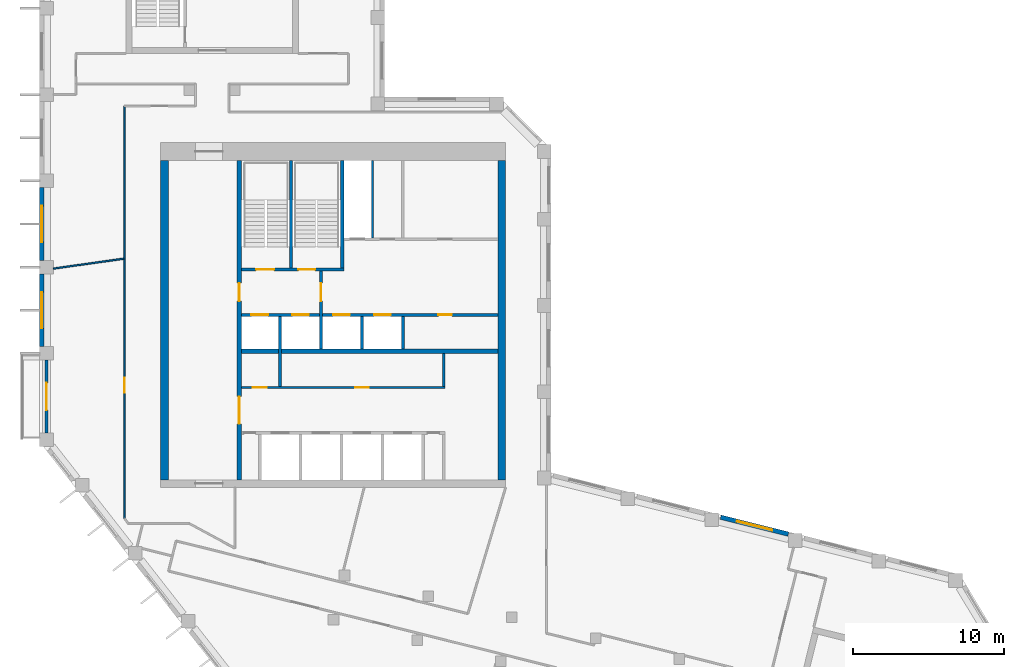
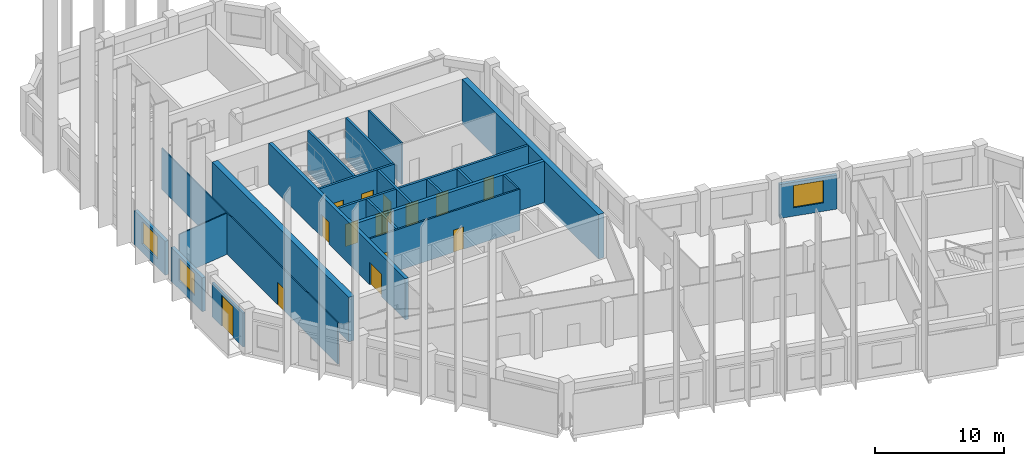
# One storey, part 5 of 8: 21 walls, 14 doors, 3 windows, 17 openings.
"""IFC4 building model written with IfcOpenShell, lengths in metres."""

from ifc_helpers import new_model, si_unit, direction, frame, frame_2d, origin, place, context, subcontext, project, spatial, rectangle, extrude, material, layer, layer_set, type_object, element, fill, save


model = new_model("IFC4")

# Units and contexts
model_context = context("Model", 3, precision=1e-05, world=origin(), true_north=direction((0.0, 1.0)))
body_context = subcontext(model_context, "Body", "Model", "MODEL_VIEW")
ifc_project = project(units=[si_unit("LENGTHUNIT", "METRE"), si_unit("AREAUNIT", "SQUARE_METRE"), si_unit("VOLUMEUNIT", "CUBIC_METRE"), si_unit("PLANEANGLEUNIT", "RADIAN"), si_unit("MASSUNIT", "GRAM", prefix="KILO")], contexts=[model_context])

# Site, building, storey
site_placement = place(None, origin())
site = spatial("IfcSite", under=ifc_project, at=site_placement, CompositionType="ELEMENT")
building_placement = place(site_placement, origin())
building = spatial("IfcBuilding", under=site, at=building_placement, Name="Meshkara Civic Tower", CompositionType="ELEMENT")
storey_placement = place(building_placement, frame((0.0, 0.0, 354.0)))
storey = spatial("IfcBuildingStorey", under=building, at=storey_placement, Name="L81", CompositionType="ELEMENT", Elevation=354.0)

# Wall, openings, doors
ifc_material_1 = material(Name="Blockwork", Category="masonry")
ifc_layer_1 = layer(ifc_material_1, 0.14990234375)
ifc_layer_set_1 = layer_set([ifc_layer_1], Name="Core partition 150")
wall_type_1 = type_object("IfcWallType", Name="Core partition 150", PredefinedType="PARTITIONING", material=ifc_layer_set_1)
wall_1_placement = place(storey_placement, frame((13.35009765625, 20.699951171875, 0.0), z_axis=(0.0, 0.0, 1.0), x_axis=(1.0, 0.0, 0.0)))
wall_1 = element("IfcWall", 1, at=wall_1_placement, inside=storey, type_object=wall_type_1, Name="L81-C006", PredefinedType="PARTITIONING", context=body_context, shape_type="SweptSolid", body=[
    extrude(rectangle(XDim=13.4248046875, YDim=0.14990234375, at=frame_2d((6.71240234375, 0.0))), origin(), (0.0, 0.0, 1.0), 3.89990234375),
])
opening_1_placement = place(wall_1_placement, frame((0.75, 0.0, 0.0)))
opening_1 = element("IfcOpeningElement", 2, at=opening_1_placement, cuts=wall_1, Name="Opening L81-K011", PredefinedType="OPENING", context=body_context, shape_type="SweptSolid", body=[
    extrude(rectangle(XDim=0.89990234375, YDim=2.10009765625, at=frame_2d((0.449951171875, 1.050048828125))), frame((0.0, 0.0849609375, 0.0), z_axis=(0.0, -1.0, 0.0), x_axis=(1.0, 0.0, 0.0)), (0.0, 0.0, 1.0), 0.169921875),
])
opening_2_placement = place(wall_1_placement, frame((7.5, 0.0, 0.0)))
opening_2 = element("IfcOpeningElement", 3, at=opening_2_placement, cuts=wall_1, Name="Opening L81-K012", PredefinedType="OPENING", context=body_context, shape_type="SweptSolid", body=[
    extrude(rectangle(XDim=0.89990234375, YDim=2.10009765625, at=frame_2d((0.449951171875, 1.050048828125))), frame((0.0, 0.0849609375, 0.0), z_axis=(0.0, -1.0, 0.0), x_axis=(1.0, 0.0, 0.0)), (0.0, 0.0, 1.0), 0.169921875),
])
ifc_material_2 = material(Name="Timber door leaf in steel frame", Category="steel")
door_type_1 = type_object("IfcDoorType", Name="Core room door 900", OperationType="SINGLE_SWING_LEFT", PredefinedType="DOOR", material=ifc_material_2)
door_1_placement = place(opening_1_placement, origin())
door_1 = element("IfcDoor", 4, at=door_1_placement, inside=storey, type_object=door_type_1, Name="L81-K011", OperationType="SINGLE_SWING_RIGHT", OverallHeight=2.10009765625, OverallWidth=0.89990234375, PredefinedType="DOOR", context=body_context, shape_type="SweptSolid", body=[
    extrude(rectangle(XDim=0.89990234375, YDim=2.10009765625, at=frame_2d((0.449951171875, 1.050048828125))), frame((0.0, 0.02490234375, 0.0), z_axis=(0.0, -1.0, 0.0), x_axis=(1.0, 0.0, 0.0)), (0.0, 0.0, 1.0), 0.050048828125),
])
fill(opening_1, door_1)
door_2_placement = place(opening_2_placement, origin())
door_2 = element("IfcDoor", 5, at=door_2_placement, inside=storey, type_object=door_type_1, Name="L81-K012", OperationType="SINGLE_SWING_LEFT", OverallHeight=2.10009765625, OverallWidth=0.89990234375, PredefinedType="DOOR", context=body_context, shape_type="SweptSolid", body=[
    extrude(rectangle(XDim=0.89990234375, YDim=2.10009765625, at=frame_2d((0.449951171875, 1.050048828125))), frame((0.0, 0.02490234375, 0.0), z_axis=(0.0, -1.0, 0.0), x_axis=(1.0, 0.0, 0.0)), (0.0, 0.0, 1.0), 0.050048828125),
])
fill(opening_2, door_2)

# Walls
wall_2_placement = place(storey_placement, frame((22.0, 30.574951171875, 0.0), z_axis=(0.0, 0.0, 1.0), x_axis=(0.0, 1.0, 0.0)))
element("IfcWall", 6, at=wall_2_placement, inside=storey, type_object=wall_type_1, Name="L81-C020", PredefinedType="PARTITIONING", context=body_context, shape_type="SweptSolid", body=[
    extrude(rectangle(XDim=5.125, YDim=0.14990234375, at=frame_2d((2.5625, 0.0))), origin(), (0.0, 0.0, 1.0), 3.89990234375),
])
wall_3_placement = place(storey_placement, frame((26.699951171875, 20.77490234375, 0.0), z_axis=(0.0, 0.0, 1.0), x_axis=(0.0, 1.0, 0.0)))
element("IfcWall", 7, at=wall_3_placement, inside=storey, type_object=wall_type_1, Name="L81-C026", PredefinedType="PARTITIONING", context=body_context, shape_type="SweptSolid", body=[
    extrude(rectangle(XDim=2.175048828125, YDim=0.14990234375, at=frame_2d((1.08740234375, 0.0))), origin(), (0.0, 0.0, 1.0), 3.89990234375),
])
ifc_material_3 = material(Name="Concrete C50", Category="concrete")
ifc_layer_2 = layer(ifc_material_3, 0.5)
ifc_layer_set_2 = layer_set([ifc_layer_2], Name="Core ring wall 500 C50")
wall_type_2 = type_object("IfcWallType", Name="Core ring wall 500 C50", PredefinedType="SHEAR", material=ifc_layer_set_2)
for number, where, z_axis, x_axis, name in (
    (8, (8.25, 14.60009765625, -0.300048828125), (0.0, 0.0, 1.0), (0.0, 1.0, 0.0), "L81-C003"),
    (9, (30.550048828125, 14.60009765625, -0.300048828125), (0.0, 0.0, 1.0), (0.0, 1.0, 0.0), "L81-C004"),
):
    element("IfcWall", number, at=place(storey_placement, frame(where, z_axis=z_axis, x_axis=x_axis)), inside=storey, type_object=wall_type_2, Name=name, PredefinedType="SHEAR", context=body_context, shape_type="SweptSolid", body=[
        extrude(rectangle(XDim=21.099853515625, YDim=0.5, at=frame_2d((10.5498046875, 0.0))), origin(), (0.0, 0.0, 1.0), 4.199951171875),
    ])
ifc_material_4 = material(Name="Concrete C50", Category="concrete")
ifc_layer_3 = layer(ifc_material_4, 0.300048828125)
ifc_layer_set_3 = layer_set([ifc_layer_3], Name="Core shear wall 300 C50")
wall_type_3 = type_object("IfcWallType", Name="Core shear wall 300 C50", PredefinedType="SHEAR", material=ifc_layer_set_3)
wall_4_placement = place(storey_placement, frame((13.35009765625, 23.10009765625, 0.0), z_axis=(0.0, 0.0, 1.0), x_axis=(1.0, 0.0, 0.0)))
element("IfcWall", 10, at=wall_4_placement, inside=storey, type_object=wall_type_3, Name="L81-C007", PredefinedType="SHEAR", context=body_context, shape_type="SweptSolid", body=[
    extrude(rectangle(XDim=16.949951171875, YDim=0.300048828125, at=frame_2d((8.47509765625, 0.0))), origin(), (0.0, 0.0, 1.0), 3.89990234375),
])

# Wall, openings, doors
wall_5_placement = place(storey_placement, frame((13.199951171875, 14.60009765625, 0.0), z_axis=(0.0, 0.0, 1.0), x_axis=(0.0, 1.0, 0.0)))
wall_5 = element("IfcWall", 11, at=wall_5_placement, inside=storey, type_object=wall_type_3, Name="L81-C011", PredefinedType="SHEAR", context=body_context, shape_type="SweptSolid", body=[
    extrude(rectangle(XDim=21.099853515625, YDim=0.300048828125, at=frame_2d((10.5498046875, 0.0))), origin(), (0.0, 0.0, 1.0), 3.89990234375),
])
opening_3_placement = place(wall_5_placement, frame((3.699951171875, 0.0, 0.0)))
opening_3 = element("IfcOpeningElement", 12, at=opening_3_placement, cuts=wall_5, Name="Opening L81-K019", PredefinedType="OPENING", context=body_context, shape_type="SweptSolid", body=[
    extrude(rectangle(XDim=1.800048828125, YDim=2.10009765625, at=frame_2d((0.89990234375, 1.050048828125))), frame((0.0, 0.159912109375, 0.0), z_axis=(0.0, -1.0, 0.0), x_axis=(1.0, 0.0, 0.0)), (0.0, 0.0, 1.0), 0.320068359375),
])
opening_4_placement = place(wall_5_placement, frame((11.800048828125, 0.0, 0.0)))
opening_4 = element("IfcOpeningElement", 13, at=opening_4_placement, cuts=wall_5, Name="Opening L81-K020", PredefinedType="OPENING", context=body_context, shape_type="SweptSolid", body=[
    extrude(rectangle(XDim=1.199951171875, YDim=2.10009765625, at=frame_2d((0.60009765625, 1.050048828125))), frame((0.0, 0.159912109375, 0.0), z_axis=(0.0, -1.0, 0.0), x_axis=(1.0, 0.0, 0.0)), (0.0, 0.0, 1.0), 0.320068359375),
])
ifc_material_5 = material(Name="Fire-rated door leaf in steel frame", Category="steel")
door_type_2 = type_object("IfcDoorType", Name="Core double door 1800 EI 60", OperationType="DOUBLE_DOOR_SINGLE_SWING", PredefinedType="DOOR", material=ifc_material_5)
door_3_placement = place(opening_3_placement, origin())
door_3 = element("IfcDoor", 14, at=door_3_placement, inside=storey, type_object=door_type_2, Name="L81-K019", OperationType="DOUBLE_DOOR_SINGLE_SWING", OverallHeight=2.10009765625, OverallWidth=1.800048828125, PredefinedType="DOOR", context=body_context, shape_type="SweptSolid", body=[
    extrude(rectangle(XDim=1.800048828125, YDim=2.10009765625, at=frame_2d((0.89990234375, 1.050048828125))), frame((0.0, 0.02490234375, 0.0), z_axis=(0.0, -1.0, 0.0), x_axis=(1.0, 0.0, 0.0)), (0.0, 0.0, 1.0), 0.050048828125),
])
fill(opening_3, door_3)
ifc_material_6 = material(Name="Fire-rated door leaf in steel frame", Category="steel")
door_type_3 = type_object("IfcDoorType", Name="Fire-fighting lobby door 1200 EI 120", OperationType="SINGLE_SWING_LEFT", PredefinedType="DOOR", material=ifc_material_6)
door_4_placement = place(opening_4_placement, origin())
door_4 = element("IfcDoor", 15, at=door_4_placement, inside=storey, type_object=door_type_3, Name="L81-K020", OperationType="SINGLE_SWING_LEFT", OverallHeight=2.10009765625, OverallWidth=1.199951171875, PredefinedType="DOOR", context=body_context, shape_type="SweptSolid", body=[
    extrude(rectangle(XDim=1.199951171875, YDim=2.10009765625, at=frame_2d((0.60009765625, 1.050048828125))), frame((0.0, 0.02490234375, 0.0), z_axis=(0.0, -1.0, 0.0), x_axis=(1.0, 0.0, 0.0)), (0.0, 0.0, 1.0), 0.050048828125),
])
fill(opening_4, door_4)

# Wall, opening, door
ifc_material_7 = material(Name="Corridor wall 100")
ifc_layer_4 = layer(ifc_material_7, 0.10009765625)
ifc_layer_set_4 = layer_set([ifc_layer_4], Name="Corridor wall 100")
wall_type_4 = type_object("IfcWallType", Name="Corridor wall 100", PredefinedType="PARTITIONING", material=ifc_layer_set_4)
wall_6_placement = place(storey_placement, frame((5.60009765625, 39.300048828125, 0.0), z_axis=(0.0, 0.0, 1.0), x_axis=(0.0, -1.0, 0.0)))
wall_6 = element("IfcWall", 16, at=wall_6_placement, inside=storey, type_object=wall_type_4, Name="L81-W004", PredefinedType="PARTITIONING", context=body_context, shape_type="SweptSolid", body=[
    extrude(rectangle(XDim=27.256103515625, YDim=0.10009765625, at=frame_2d((13.6279296875, 0.0))), origin(), (0.0, 0.0, 1.0), 3.89990234375),
])
opening_5_placement = place(wall_6_placement, frame((17.962890625, 0.0, 0.0)))
opening_5 = element("IfcOpeningElement", 17, at=opening_5_placement, cuts=wall_6, Name="Opening L81-D011", PredefinedType="OPENING", context=body_context, shape_type="SweptSolid", body=[
    extrude(rectangle(XDim=1.0, YDim=2.10009765625, at=frame_2d((0.5, 1.050048828125))), frame((0.0, 0.06005859375, 0.0), z_axis=(0.0, -1.0, 0.0), x_axis=(1.0, 0.0, 0.0)), (0.0, 0.0, 1.0), 0.1201171875),
])
ifc_material_8 = material(Name="Door 1000 x 2100")
door_type_4 = type_object("IfcDoorType", Name="Door 1000 x 2100", OperationType="SINGLE_SWING_LEFT", PredefinedType="DOOR", material=ifc_material_8)
door_5_placement = place(opening_5_placement, origin())
door_5 = element("IfcDoor", 18, at=door_5_placement, inside=storey, type_object=door_type_4, Name="L81-D011", OperationType="SINGLE_SWING_RIGHT", OverallHeight=2.10009765625, OverallWidth=1.0, PredefinedType="DOOR", context=body_context, shape_type="SweptSolid", body=[
    extrude(rectangle(XDim=1.0, YDim=2.10009765625, at=frame_2d((0.5, 1.050048828125))), frame((0.0, 0.02490234375, 0.0), z_axis=(0.0, -1.0, 0.0), x_axis=(1.0, 0.0, 0.0)), (0.0, 0.0, 1.0), 0.050048828125),
])
fill(opening_5, door_5)

# Wall, opening, window
ifc_material_9 = material(Name="Insulated infill panel with bronze anodised aluminium cladding", Category="aluminium")
ifc_layer_5 = layer(ifc_material_9, 0.300048828125)
ifc_layer_set_5 = layer_set([ifc_layer_5], Name="EXTERNAL INFILL WALL 300")
wall_type_5 = type_object("IfcWallType", Name="EXTERNAL INFILL WALL 300", PredefinedType="SOLIDWALL", material=ifc_layer_set_5)
wall_7_placement = place(storey_placement, frame((49.485107421875, 11.0048828125, 0.0), z_axis=(0.0, 0.0, 1.0), x_axis=(-0.970235897967, 0.242161727563, 0.0)))
wall_7 = element("IfcWall", 19, at=wall_7_placement, inside=storey, type_object=wall_type_5, Name="External wall", PredefinedType="SOLIDWALL", context=body_context, shape_type="SweptSolid", body=[
    extrude(rectangle(XDim=4.609375, YDim=0.300048828125, at=frame_2d((2.3046875, 0.0))), origin(), (0.0, 0.0, 1.0), 3.199951171875),
])
opening_6_placement = place(wall_7_placement, frame((1.10498046875, 0.0, 0.800048828125)))
opening_6 = element("IfcOpeningElement", 20, at=opening_6_placement, cuts=wall_7, Name="Opening W7", PredefinedType="OPENING", context=body_context, shape_type="SweptSolid", body=[
    extrude(rectangle(XDim=2.39990234375, YDim=2.10009765625, at=frame_2d((1.199951171875, 1.050048828125))), frame((0.0, 0.159912109375, 0.0), z_axis=(0.0, -1.0, 0.0), x_axis=(1.0, 0.0, 0.0)), (0.0, 0.0, 1.0), 0.320068359375),
])
ifc_material_10 = material(Name="Tinted double glazing", Category="glass")
window_type = type_object("IfcWindowType", Name="WINDOW 2400x2100", PartitioningType="DOUBLE_PANEL_VERTICAL", PredefinedType="WINDOW", material=ifc_material_10)
window_1_placement = place(opening_6_placement, origin())
window_1 = element("IfcWindow", 21, at=window_1_placement, inside=storey, type_object=window_type, Name="Window", OverallHeight=2.10009765625, OverallWidth=2.39990234375, PartitioningType="DOUBLE_PANEL_VERTICAL", PredefinedType="WINDOW", context=body_context, shape_type="SweptSolid", body=[
    extrude(rectangle(XDim=2.39990234375, YDim=2.10009765625, at=frame_2d((1.199951171875, 1.050048828125))), frame((0.0, 0.030029296875, 0.0), z_axis=(0.0, -1.0, 0.0), x_axis=(1.0, 0.0, 0.0)), (0.0, 0.0, 1.0), 0.06005859375),
])
fill(opening_6, window_1)

wall_8_placement = place(storey_placement, frame((0.14990234375, 33.905029296875, 0.0), z_axis=(0.0, 0.0, 1.0), x_axis=(0.0, -1.0, 0.0)))
wall_8 = element("IfcWall", 22, at=wall_8_placement, inside=storey, type_object=wall_type_5, Name="External wall", PredefinedType="SOLIDWALL", context=body_context, shape_type="SweptSolid", body=[
    extrude(rectangle(XDim=4.800048828125, YDim=0.300048828125, at=frame_2d((2.39990234375, 0.0))), origin(), (0.0, 0.0, 1.0), 3.199951171875),
])
opening_7_placement = place(wall_8_placement, frame((1.199951171875, 0.0, 0.800048828125)))
opening_7 = element("IfcOpeningElement", 23, at=opening_7_placement, cuts=wall_8, Name="Opening W7", PredefinedType="OPENING", context=body_context, shape_type="SweptSolid", body=[
    extrude(rectangle(XDim=2.39990234375, YDim=2.10009765625, at=frame_2d((1.199951171875, 1.050048828125))), frame((0.0, 0.159912109375, 0.0), z_axis=(0.0, -1.0, 0.0), x_axis=(1.0, 0.0, 0.0)), (0.0, 0.0, 1.0), 0.320068359375),
])
window_2_placement = place(opening_7_placement, origin())
window_2 = element("IfcWindow", 24, at=window_2_placement, inside=storey, type_object=window_type, Name="Window", OverallHeight=2.10009765625, OverallWidth=2.39990234375, PartitioningType="DOUBLE_PANEL_VERTICAL", PredefinedType="WINDOW", context=body_context, shape_type="SweptSolid", body=[
    extrude(rectangle(XDim=2.39990234375, YDim=2.10009765625, at=frame_2d((1.199951171875, 1.050048828125))), frame((0.0, 0.030029296875, 0.0), z_axis=(0.0, -1.0, 0.0), x_axis=(1.0, 0.0, 0.0)), (0.0, 0.0, 1.0), 0.06005859375),
])
fill(opening_7, window_2)

wall_9_placement = place(storey_placement, frame((0.14990234375, 28.205078125, 0.0), z_axis=(0.0, 0.0, 1.0), x_axis=(0.0, -1.0, 0.0)))
wall_9 = element("IfcWall", 25, at=wall_9_placement, inside=storey, type_object=wall_type_5, Name="External wall", PredefinedType="SOLIDWALL", context=body_context, shape_type="SweptSolid", body=[
    extrude(rectangle(XDim=4.800048828125, YDim=0.300048828125, at=frame_2d((2.39990234375, 0.0))), origin(), (0.0, 0.0, 1.0), 3.199951171875),
])
opening_8_placement = place(wall_9_placement, frame((1.199951171875, 0.0, 0.800048828125)))
opening_8 = element("IfcOpeningElement", 26, at=opening_8_placement, cuts=wall_9, Name="Opening W7", PredefinedType="OPENING", context=body_context, shape_type="SweptSolid", body=[
    extrude(rectangle(XDim=2.39990234375, YDim=2.10009765625, at=frame_2d((1.199951171875, 1.050048828125))), frame((0.0, 0.159912109375, 0.0), z_axis=(0.0, -1.0, 0.0), x_axis=(1.0, 0.0, 0.0)), (0.0, 0.0, 1.0), 0.320068359375),
])
window_3_placement = place(opening_8_placement, origin())
window_3 = element("IfcWindow", 27, at=window_3_placement, inside=storey, type_object=window_type, Name="Window", OverallHeight=2.10009765625, OverallWidth=2.39990234375, PartitioningType="DOUBLE_PANEL_VERTICAL", PredefinedType="WINDOW", context=body_context, shape_type="SweptSolid", body=[
    extrude(rectangle(XDim=2.39990234375, YDim=2.10009765625, at=frame_2d((1.199951171875, 1.050048828125))), frame((0.0, 0.030029296875, 0.0), z_axis=(0.0, -1.0, 0.0), x_axis=(1.0, 0.0, 0.0)), (0.0, 0.0, 1.0), 0.06005859375),
])
fill(opening_8, window_3)

# Wall, opening, door
ifc_material_11 = material(Name="Insulated infill panel with bronze anodised aluminium cladding", Category="aluminium")
ifc_layer_6 = layer(ifc_material_11, 0.199951171875)
ifc_layer_set_6 = layer_set([ifc_layer_6], Name="LOGGIA BACK WALL 200")
wall_type_6 = type_object("IfcWallType", Name="LOGGIA BACK WALL 200", PredefinedType="SOLIDWALL", material=ifc_layer_set_6)
wall_10_placement = place(storey_placement, frame((0.449951171875, 22.5048828125, 0.0), z_axis=(0.0, 0.0, 1.0), x_axis=(0.0, -1.0, 0.0)))
wall_10 = element("IfcWall", 28, at=wall_10_placement, inside=storey, type_object=wall_type_6, Name="Loggia wall", PredefinedType="SOLIDWALL", context=body_context, shape_type="SweptSolid", body=[
    extrude(rectangle(XDim=4.798828125, YDim=0.199951171875, at=frame_2d((2.3994140625, 0.0))), origin(), (0.0, 0.0, 1.0), 3.199951171875),
])
opening_9_placement = place(wall_10_placement, frame((1.5, 0.0, 0.0)))
opening_9 = element("IfcOpeningElement", 29, at=opening_9_placement, cuts=wall_10, Name="Opening L81-L001", PredefinedType="OPENING", context=body_context, shape_type="SweptSolid", body=[
    extrude(rectangle(XDim=1.800048828125, YDim=2.89990234375, at=frame_2d((0.89990234375, 1.449951171875))), frame((0.0, 0.10986328125, 0.0), z_axis=(0.0, -1.0, 0.0), x_axis=(1.0, 0.0, 0.0)), (0.0, 0.0, 1.0), 0.219970703125),
])
ifc_material_12 = material(Name="Tinted double glazing", Category="glass")
door_type_5 = type_object("IfcDoorType", Name="LOGGIA DOOR 1800x2900", OperationType="DOUBLE_DOOR_SINGLE_SWING", PredefinedType="DOOR", material=ifc_material_12)
door_6_placement = place(opening_9_placement, origin())
door_6 = element("IfcDoor", 30, at=door_6_placement, inside=storey, type_object=door_type_5, Name="L81-L001", OperationType="DOUBLE_DOOR_SINGLE_SWING", OverallHeight=2.89990234375, OverallWidth=1.800048828125, PredefinedType="DOOR", context=body_context, shape_type="SweptSolid", body=[
    extrude(rectangle(XDim=1.800048828125, YDim=2.89990234375, at=frame_2d((0.89990234375, 1.449951171875))), frame((0.0, 0.02490234375, 0.0), z_axis=(0.0, -1.0, 0.0), x_axis=(1.0, 0.0, 0.0)), (0.0, 0.0, 1.0), 0.050048828125),
])
fill(opening_9, door_6)

# Wall
ifc_material_13 = material(Name="Partition 100")
ifc_layer_7 = layer(ifc_material_13, 0.10009765625)
ifc_layer_set_7 = layer_set([ifc_layer_7], Name="Partition 100")
wall_type_7 = type_object("IfcWallType", Name="Partition 100", PredefinedType="PARTITIONING", material=ifc_layer_set_7)
wall_11_placement = place(storey_placement, frame((5.54296875, 29.208984375, 0.0), z_axis=(0.0, 0.0, 1.0), x_axis=(-0.990252315106, -0.139285147908, 0.0)))
element("IfcWall", 31, at=wall_11_placement, inside=storey, type_object=wall_type_7, Name="L81-W034", PredefinedType="PARTITIONING", context=body_context, shape_type="SweptSolid", body=[
    extrude(rectangle(XDim=4.688720703125, YDim=0.10009765625, at=frame_2d((2.34423828125, 0.0))), origin(), (0.0, 0.0, 1.0), 3.89990234375),
])

# Wall, openings, doors
ifc_material_14 = material(Name="Concrete C40/50", Category="concrete")
ifc_layer_8 = layer(ifc_material_14, 0.199951171875)
ifc_layer_set_8 = layer_set([ifc_layer_8], Name="Shaft wall 200 C40/50")
wall_type_8 = type_object("IfcWallType", Name="Shaft wall 200 C40/50", PredefinedType="SOLIDWALL", material=ifc_layer_set_8)
wall_12_placement = place(storey_placement, frame((13.35009765625, 25.5, 0.0), z_axis=(0.0, 0.0, 1.0), x_axis=(1.0, 0.0, 0.0)))
wall_12 = element("IfcWall", 32, at=wall_12_placement, inside=storey, type_object=wall_type_8, Name="L81-C008", PredefinedType="SOLIDWALL", context=body_context, shape_type="SweptSolid", body=[
    extrude(rectangle(XDim=16.949951171875, YDim=0.199951171875, at=frame_2d((8.47509765625, 0.0))), origin(), (0.0, 0.0, 1.0), 3.89990234375),
])
opening_10_placement = place(wall_12_placement, frame((0.64990234375, 0.0, 0.0)))
opening_10 = element("IfcOpeningElement", 33, at=opening_10_placement, cuts=wall_12, Name="Opening L81-K005", PredefinedType="OPENING", context=body_context, shape_type="SweptSolid", body=[
    extrude(rectangle(XDim=1.10009765625, YDim=2.10009765625, at=frame_2d((0.550048828125, 1.050048828125))), frame((0.0, 0.10986328125, 0.0), z_axis=(0.0, -1.0, 0.0), x_axis=(1.0, 0.0, 0.0)), (0.0, 0.0, 1.0), 0.219970703125),
])
opening_11_placement = place(wall_12_placement, frame((3.35009765625, 0.0, 0.0)))
opening_11 = element("IfcOpeningElement", 34, at=opening_11_placement, cuts=wall_12, Name="Opening L81-K006", PredefinedType="OPENING", context=body_context, shape_type="SweptSolid", body=[
    extrude(rectangle(XDim=1.10009765625, YDim=2.10009765625, at=frame_2d((0.550048828125, 1.050048828125))), frame((0.0, 0.10986328125, 0.0), z_axis=(0.0, -1.0, 0.0), x_axis=(1.0, 0.0, 0.0)), (0.0, 0.0, 1.0), 0.219970703125),
])
opening_12_placement = place(wall_12_placement, frame((6.050048828125, 0.0, 0.0)))
opening_12 = element("IfcOpeningElement", 35, at=opening_12_placement, cuts=wall_12, Name="Opening L81-K007", PredefinedType="OPENING", context=body_context, shape_type="SweptSolid", body=[
    extrude(rectangle(XDim=1.10009765625, YDim=2.10009765625, at=frame_2d((0.550048828125, 1.050048828125))), frame((0.0, 0.10986328125, 0.0), z_axis=(0.0, -1.0, 0.0), x_axis=(1.0, 0.0, 0.0)), (0.0, 0.0, 1.0), 0.219970703125),
])
opening_13_placement = place(wall_12_placement, frame((8.75, 0.0, 0.0)))
opening_13 = element("IfcOpeningElement", 36, at=opening_13_placement, cuts=wall_12, Name="Opening L81-K008", PredefinedType="OPENING", context=body_context, shape_type="SweptSolid", body=[
    extrude(rectangle(XDim=1.10009765625, YDim=2.10009765625, at=frame_2d((0.550048828125, 1.050048828125))), frame((0.0, 0.10986328125, 0.0), z_axis=(0.0, -1.0, 0.0), x_axis=(1.0, 0.0, 0.0)), (0.0, 0.0, 1.0), 0.219970703125),
])
opening_14_placement = place(wall_12_placement, frame((13.0, 0.0, 0.0)))
opening_14 = element("IfcOpeningElement", 37, at=opening_14_placement, cuts=wall_12, Name="Opening L81-K013", PredefinedType="OPENING", context=body_context, shape_type="SweptSolid", body=[
    extrude(rectangle(XDim=0.89990234375, YDim=2.10009765625, at=frame_2d((0.449951171875, 1.050048828125))), frame((0.0, 0.10986328125, 0.0), z_axis=(0.0, -1.0, 0.0), x_axis=(1.0, 0.0, 0.0)), (0.0, 0.0, 1.0), 0.219970703125),
])
door_7_placement = place(opening_14_placement, origin())
door_7 = element("IfcDoor", 38, at=door_7_placement, inside=storey, type_object=door_type_1, Name="L81-K013", OperationType="SINGLE_SWING_LEFT", OverallHeight=2.10009765625, OverallWidth=0.89990234375, PredefinedType="DOOR", context=body_context, shape_type="SweptSolid", body=[
    extrude(rectangle(XDim=0.89990234375, YDim=2.10009765625, at=frame_2d((0.449951171875, 1.050048828125))), frame((0.0, 0.02490234375, 0.0), z_axis=(0.0, -1.0, 0.0), x_axis=(1.0, 0.0, 0.0)), (0.0, 0.0, 1.0), 0.050048828125),
])
fill(opening_14, door_7)
ifc_material_15 = material(Name="Stainless steel landing door", Category="steel")
door_type_6 = type_object("IfcDoorType", Name="Lift landing door 1100", OperationType="SLIDING_TO_LEFT", PredefinedType="DOOR", material=ifc_material_15)
door_8_placement = place(opening_10_placement, origin())
door_8 = element("IfcDoor", 39, at=door_8_placement, inside=storey, type_object=door_type_6, Name="L81-K005", OperationType="SLIDING_TO_LEFT", OverallHeight=2.10009765625, OverallWidth=1.10009765625, PredefinedType="DOOR", context=body_context, shape_type="SweptSolid", body=[
    extrude(rectangle(XDim=1.10009765625, YDim=2.10009765625, at=frame_2d((0.550048828125, 1.050048828125))), frame((0.0, 0.02490234375, 0.0), z_axis=(0.0, -1.0, 0.0), x_axis=(1.0, 0.0, 0.0)), (0.0, 0.0, 1.0), 0.050048828125),
])
fill(opening_10, door_8)
door_9_placement = place(opening_11_placement, origin())
door_9 = element("IfcDoor", 40, at=door_9_placement, inside=storey, type_object=door_type_6, Name="L81-K006", OperationType="SLIDING_TO_LEFT", OverallHeight=2.10009765625, OverallWidth=1.10009765625, PredefinedType="DOOR", context=body_context, shape_type="SweptSolid", body=[
    extrude(rectangle(XDim=1.10009765625, YDim=2.10009765625, at=frame_2d((0.550048828125, 1.050048828125))), frame((0.0, 0.02490234375, 0.0), z_axis=(0.0, -1.0, 0.0), x_axis=(1.0, 0.0, 0.0)), (0.0, 0.0, 1.0), 0.050048828125),
])
fill(opening_11, door_9)
door_10_placement = place(opening_12_placement, origin())
door_10 = element("IfcDoor", 41, at=door_10_placement, inside=storey, type_object=door_type_6, Name="L81-K007", OperationType="SLIDING_TO_LEFT", OverallHeight=2.10009765625, OverallWidth=1.10009765625, PredefinedType="DOOR", context=body_context, shape_type="SweptSolid", body=[
    extrude(rectangle(XDim=1.10009765625, YDim=2.10009765625, at=frame_2d((0.550048828125, 1.050048828125))), frame((0.0, 0.02490234375, 0.0), z_axis=(0.0, -1.0, 0.0), x_axis=(1.0, 0.0, 0.0)), (0.0, 0.0, 1.0), 0.050048828125),
])
fill(opening_12, door_10)
door_11_placement = place(opening_13_placement, origin())
door_11 = element("IfcDoor", 42, at=door_11_placement, inside=storey, type_object=door_type_6, Name="L81-K008", OperationType="SLIDING_TO_LEFT", OverallHeight=2.10009765625, OverallWidth=1.10009765625, PredefinedType="DOOR", context=body_context, shape_type="SweptSolid", body=[
    extrude(rectangle(XDim=1.10009765625, YDim=2.10009765625, at=frame_2d((0.550048828125, 1.050048828125))), frame((0.0, 0.02490234375, 0.0), z_axis=(0.0, -1.0, 0.0), x_axis=(1.0, 0.0, 0.0)), (0.0, 0.0, 1.0), 0.050048828125),
])
fill(opening_13, door_11)

# Wall
wall_13_placement = place(storey_placement, frame((15.89990234375, 20.77490234375, 0.0), z_axis=(0.0, 0.0, 1.0), x_axis=(0.0, 1.0, 0.0)))
element("IfcWall", 43, at=wall_13_placement, inside=storey, type_object=wall_type_8, Name="L81-C013", PredefinedType="SOLIDWALL", context=body_context, shape_type="SweptSolid", body=[
    extrude(rectangle(XDim=4.625, YDim=0.199951171875, at=frame_2d((2.3125, 0.0))), origin(), (0.0, 0.0, 1.0), 3.89990234375),
])

# Wall, opening, door
wall_14_placement = place(storey_placement, frame((18.60009765625, 23.25, 0.0), z_axis=(0.0, 0.0, 1.0), x_axis=(0.0, 1.0, 0.0)))
wall_14 = element("IfcWall", 44, at=wall_14_placement, inside=storey, type_object=wall_type_8, Name="L81-C016", PredefinedType="SOLIDWALL", context=body_context, shape_type="SweptSolid", body=[
    extrude(rectangle(XDim=5.14990234375, YDim=0.199951171875, at=frame_2d((2.574951171875, 0.0))), origin(), (0.0, 0.0, 1.0), 3.89990234375),
])
opening_15_placement = place(wall_14_placement, frame((3.14990234375, 0.0, 0.0)))
opening_15 = element("IfcOpeningElement", 45, at=opening_15_placement, cuts=wall_14, Name="Opening L81-K021", PredefinedType="OPENING", context=body_context, shape_type="SweptSolid", body=[
    extrude(rectangle(XDim=1.199951171875, YDim=2.10009765625, at=frame_2d((0.60009765625, 1.050048828125))), frame((0.0, 0.10986328125, 0.0), z_axis=(0.0, -1.0, 0.0), x_axis=(1.0, 0.0, 0.0)), (0.0, 0.0, 1.0), 0.219970703125),
])
door_12_placement = place(opening_15_placement, origin())
door_12 = element("IfcDoor", 46, at=door_12_placement, inside=storey, type_object=door_type_3, Name="L81-K021", OperationType="SINGLE_SWING_RIGHT", OverallHeight=2.10009765625, OverallWidth=1.199951171875, PredefinedType="DOOR", context=body_context, shape_type="SweptSolid", body=[
    extrude(rectangle(XDim=1.199951171875, YDim=2.10009765625, at=frame_2d((0.60009765625, 1.050048828125))), frame((0.0, 0.02490234375, 0.0), z_axis=(0.0, -1.0, 0.0), x_axis=(1.0, 0.0, 0.0)), (0.0, 0.0, 1.0), 0.050048828125),
])
fill(opening_15, door_12)

# Walls
for number, where, z_axis, x_axis, name in (
    (47, (21.300048828125, 23.25, 0.0), (0.0, 0.0, 1.0), (0.0, 1.0, 0.0), "L81-C019"),
    (48, (24.0, 23.25, 0.0), (0.0, 0.0, 1.0), (0.0, 1.0, 0.0), "L81-C022"),
):
    element("IfcWall", number, at=place(storey_placement, frame(where, z_axis=z_axis, x_axis=x_axis)), inside=storey, type_object=wall_type_8, Name=name, PredefinedType="SOLIDWALL", context=body_context, shape_type="SweptSolid", body=[
        extrude(rectangle(XDim=2.14990234375, YDim=0.199951171875, at=frame_2d((1.074951171875, 0.0))), origin(), (0.0, 0.0, 1.0), 3.89990234375),
    ])

# Wall, openings, doors
ifc_material_16 = material(Name="Concrete C40/50", Category="concrete")
ifc_layer_9 = layer(ifc_material_16, 0.199951171875)
ifc_layer_set_9 = layer_set([ifc_layer_9], Name="Stair enclosure wall 200 C40/50")
wall_type_9 = type_object("IfcWallType", Name="Stair enclosure wall 200 C40/50", PredefinedType="SOLIDWALL", material=ifc_layer_set_9)
wall_15_placement = place(storey_placement, frame((13.35009765625, 28.5, 0.0), z_axis=(0.0, 0.0, 1.0), x_axis=(1.0, 0.0, 0.0)))
wall_15 = element("IfcWall", 49, at=wall_15_placement, inside=storey, type_object=wall_type_9, Name="L81-C009", PredefinedType="SOLIDWALL", context=body_context, shape_type="SweptSolid", body=[
    extrude(rectangle(XDim=6.75, YDim=0.199951171875, at=frame_2d((3.375, 0.0))), origin(), (0.0, 0.0, 1.0), 3.89990234375),
])
opening_16_placement = place(wall_15_placement, frame((0.949951171875, 0.0, 0.0)))
opening_16 = element("IfcOpeningElement", 50, at=opening_16_placement, cuts=wall_15, Name="Opening L81-K017", PredefinedType="OPENING", context=body_context, shape_type="SweptSolid", body=[
    extrude(rectangle(XDim=1.199951171875, YDim=2.10009765625, at=frame_2d((0.60009765625, 1.050048828125))), frame((0.0, 0.10986328125, 0.0), z_axis=(0.0, -1.0, 0.0), x_axis=(1.0, 0.0, 0.0)), (0.0, 0.0, 1.0), 0.219970703125),
])
opening_17_placement = place(wall_15_placement, frame((3.75, 0.0, 0.0)))
opening_17 = element("IfcOpeningElement", 51, at=opening_17_placement, cuts=wall_15, Name="Opening L81-K018", PredefinedType="OPENING", context=body_context, shape_type="SweptSolid", body=[
    extrude(rectangle(XDim=1.10009765625, YDim=2.10009765625, at=frame_2d((0.550048828125, 1.050048828125))), frame((0.0, 0.10986328125, 0.0), z_axis=(0.0, -1.0, 0.0), x_axis=(1.0, 0.0, 0.0)), (0.0, 0.0, 1.0), 0.219970703125),
])
ifc_material_17 = material(Name="Fire-rated door leaf in steel frame", Category="steel")
door_type_7 = type_object("IfcDoorType", Name="Stair door 1100 EI 120", OperationType="SINGLE_SWING_LEFT", PredefinedType="DOOR", material=ifc_material_17)
door_13_placement = place(opening_17_placement, origin())
door_13 = element("IfcDoor", 52, at=door_13_placement, inside=storey, type_object=door_type_7, Name="L81-K018", OperationType="SINGLE_SWING_LEFT", OverallHeight=2.10009765625, OverallWidth=1.10009765625, PredefinedType="DOOR", context=body_context, shape_type="SweptSolid", body=[
    extrude(rectangle(XDim=1.10009765625, YDim=2.10009765625, at=frame_2d((0.550048828125, 1.050048828125))), frame((0.0, 0.02490234375, 0.0), z_axis=(0.0, -1.0, 0.0), x_axis=(1.0, 0.0, 0.0)), (0.0, 0.0, 1.0), 0.050048828125),
])
fill(opening_17, door_13)
ifc_material_18 = material(Name="Fire-rated door leaf in steel frame", Category="steel")
door_type_8 = type_object("IfcDoorType", Name="Stair door 1200 EI 120", OperationType="SINGLE_SWING_LEFT", PredefinedType="DOOR", material=ifc_material_18)
door_14_placement = place(opening_16_placement, origin())
door_14 = element("IfcDoor", 53, at=door_14_placement, inside=storey, type_object=door_type_8, Name="L81-K017", OperationType="SINGLE_SWING_RIGHT", OverallHeight=2.10009765625, OverallWidth=1.199951171875, PredefinedType="DOOR", context=body_context, shape_type="SweptSolid", body=[
    extrude(rectangle(XDim=1.199951171875, YDim=2.10009765625, at=frame_2d((0.60009765625, 1.050048828125))), frame((0.0, 0.02490234375, 0.0), z_axis=(0.0, -1.0, 0.0), x_axis=(1.0, 0.0, 0.0)), (0.0, 0.0, 1.0), 0.050048828125),
])
fill(opening_16, door_14)

# Walls
for number, where, z_axis, x_axis, name in (
    (54, (16.60009765625, 28.60009765625, 0.0), (0.0, 0.0, 1.0), (0.0, 1.0, 0.0), "L81-C014"),
    (55, (20.0, 28.60009765625, 0.0), (0.0, 0.0, 1.0), (0.0, 1.0, 0.0), "L81-C018"),
):
    element("IfcWall", number, at=place(storey_placement, frame(where, z_axis=z_axis, x_axis=x_axis)), inside=storey, type_object=wall_type_9, Name=name, PredefinedType="SOLIDWALL", context=body_context, shape_type="SweptSolid", body=[
        extrude(rectangle(XDim=7.099853515625, YDim=0.199951171875, at=frame_2d((3.5498046875, 0.0))), origin(), (0.0, 0.0, 1.0), 3.89990234375),
    ])

save(model, "model.ifc")
